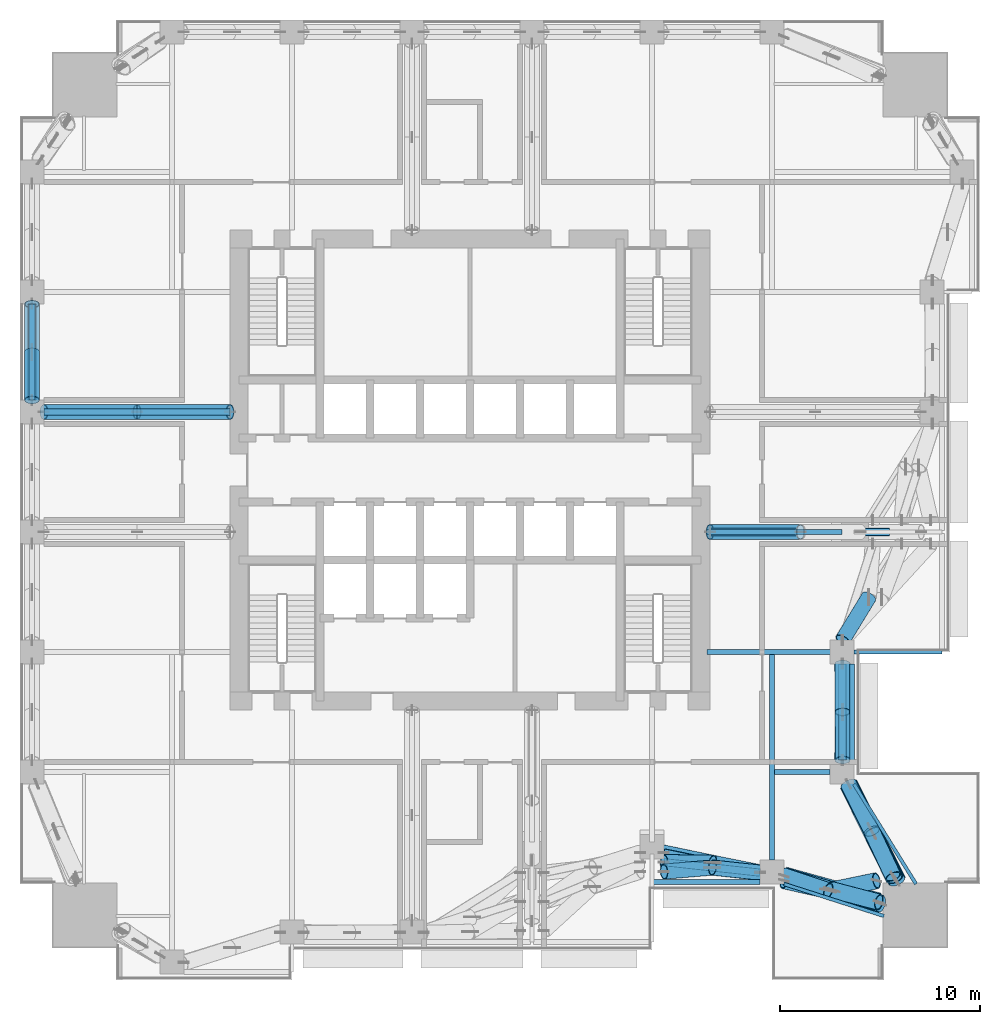
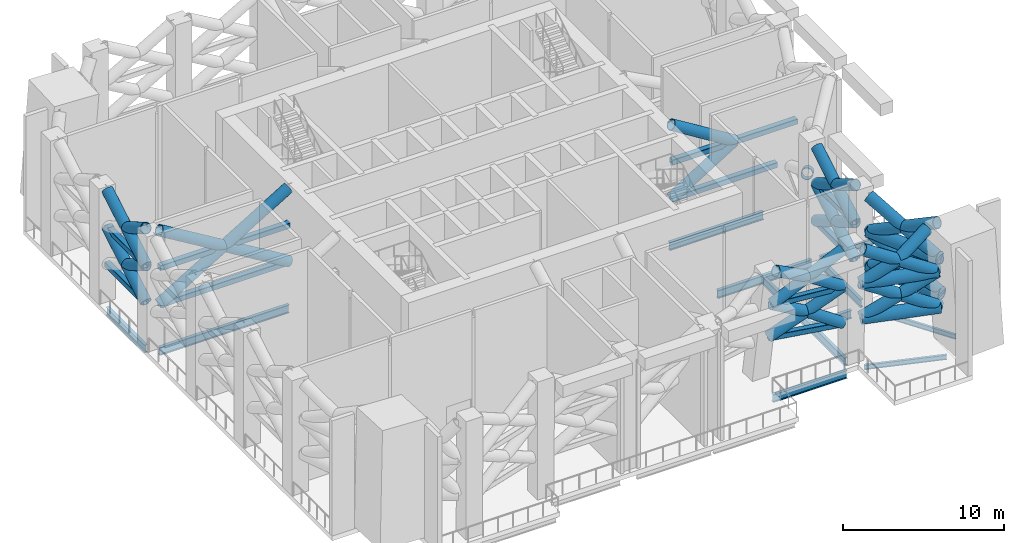
# One storey, part 3 of 18: 35 members, 25 beams.
"""IFC4 building model written with IfcOpenShell, lengths in metres."""

import ifcopenshell
import ifcopenshell.guid

model = None  # the IFC model being written
_history = None  # IfcOwnerHistory: only IFC2X3 demands one
_inside = {}  # id of a spatial element -> (the spatial element, [elements in it])
_under = {}  # id of a project, library or spatial element -> (it, [spatial elements below it])
_declared = {}  # id of a project -> (the project, [libraries it declares])
_typed = {}  # id of a type object -> (the type object, [elements of that type])
_made_of = {}  # id of a material, layer set ... -> (it, [elements and type objects made of it])


def new_model(schema):
    """Start an empty IFC model of exactly this schema.

    Asked for "IFC4X3", IfcOpenShell would pick the latest addendum, in which some entities
    have other attributes; the version numbers below select the first issue.
    IFC2X3 requires an IfcOwnerHistory on every rooted entity: one is made here for all.
    """
    global model, _history
    if schema == "IFC4X3":
        model = ifcopenshell.file(schema_version=(4, 3, 0, 0))
    else:
        model = ifcopenshell.file(schema=schema)
    _inside.clear()
    _under.clear()
    _declared.clear()
    _typed.clear()
    _made_of.clear()
    _history = None
    if model.schema == "IFC2X3":
        org = make("IfcOrganization", Name="unknown")
        user = make(
            "IfcPersonAndOrganization",
            ThePerson=make("IfcPerson", FamilyName="unknown"),
            TheOrganization=org,
        )
        app = make(
            "IfcApplication",
            ApplicationDeveloper=org,
            Version="unknown",
            ApplicationFullName="unknown",
            ApplicationIdentifier="unknown",
        )
        _history = make(
            "IfcOwnerHistory",
            OwningUser=user,
            OwningApplication=app,
            ChangeAction="ADDED",
            CreationDate=0,
        )
    return model


def make(cls, **values):
    """One entity of the class cls with the attributes given. An attribute that is None is left unset."""
    return model.create_entity(
        cls, **{name: value for name, value in values.items() if value is not None}
    )


def rooted(cls, **values):
    """An entity with a GlobalId (a new one), such as an element, a storey or a relation."""
    return make(cls, GlobalId=ifcopenshell.guid.new(), OwnerHistory=_history, **values)


def si_unit(unit_type, name, prefix=None):
    """IfcSIUnit, for example si_unit("LENGTHUNIT", "METRE", prefix="MILLI")."""
    return make("IfcSIUnit", UnitType=unit_type, Prefix=prefix, Name=name)


def assignment(units):
    """IfcUnitAssignment: the units of a project."""
    return None if units is None else make("IfcUnitAssignment", Units=units)


def point(xyz):
    """IfcCartesianPoint."""
    return None if xyz is None else make("IfcCartesianPoint", Coordinates=xyz)


def direction(xyz):
    """IfcDirection."""
    return None if xyz is None else make("IfcDirection", DirectionRatios=xyz)


def frame(location, z_axis=None, x_axis=None):
    """IfcAxis2Placement3D, a coordinate frame: its origin and axes. An axis left out is left unset."""
    return make(
        "IfcAxis2Placement3D",
        Location=point(location),
        Axis=direction(z_axis),
        RefDirection=direction(x_axis),
    )


def frame_2d(location, x_axis=None):
    """IfcAxis2Placement2D, a coordinate frame in the plane: its origin and x axis."""
    return make(
        "IfcAxis2Placement2D", Location=point(location), RefDirection=direction(x_axis)
    )


def origin():
    """The frame at (0, 0, 0) with its axes left unset."""
    return frame((0.0, 0.0, 0.0))


def origin_2d():
    """The frame at (0, 0) in the plane with its x axis left unset."""
    return frame_2d((0.0, 0.0))


def place(relative_to, where):
    """IfcLocalPlacement: puts the frame where relative to a parent placement (None: the world)."""
    return make(
        "IfcLocalPlacement", PlacementRelTo=relative_to, RelativePlacement=where
    )


def context(
    kind, dimensions, precision=None, world=None, true_north=None, identifier=None
):
    """IfcGeometricRepresentationContext, for example the 3D "Model" context."""
    return make(
        "IfcGeometricRepresentationContext",
        ContextIdentifier=identifier,
        ContextType=kind,
        CoordinateSpaceDimension=dimensions,
        Precision=precision,
        WorldCoordinateSystem=world,
        TrueNorth=true_north,
    )


def subcontext(parent, identifier, kind, view, scale=None):
    """IfcGeometricRepresentationSubContext, for example "Body" below "Model"."""
    return make(
        "IfcGeometricRepresentationSubContext",
        ContextIdentifier=identifier,
        ContextType=kind,
        ParentContext=parent,
        TargetScale=scale,
        TargetView=view,
    )


def project(units=None, contexts=None):
    """IfcProject with its units and contexts."""
    return rooted(
        "IfcProject",
        Name="project",
        RepresentationContexts=contexts,
        UnitsInContext=assignment(units),
    )


def spatial(cls, under=None, at=None, **own):
    """A site, building, storey or space (cls), placed at a placement, below another one or the project."""
    s = rooted(cls, ObjectPlacement=at, **own)
    if under is not None:
        _under.setdefault(under.id(), (under, []))[1].append(s)
    return s


def profile(cls, at=None, kind="AREA", **sizes):
    """A parametric profile (cls). Its sizes go by their IFC names, for example OverallWidth=200.0."""
    return make(cls, ProfileType=kind, Position=at, **sizes)


def hollow_rectangle(**sizes):
    """IfcRectangleHollowProfileDef."""
    return profile("IfcRectangleHollowProfileDef", **sizes)


def hollow_circle(**sizes):
    """IfcCircleHollowProfileDef."""
    return profile("IfcCircleHollowProfileDef", **sizes)


def i_section(**sizes):
    """IfcIShapeProfileDef."""
    return profile("IfcIShapeProfileDef", **sizes)


def extrude(swept, where, along, depth):
    """IfcExtrudedAreaSolid: the profile swept, set in the frame where, extruded along a direction by depth."""
    return make(
        "IfcExtrudedAreaSolid",
        SweptArea=swept,
        Position=where,
        ExtrudedDirection=direction(along),
        Depth=depth,
    )


def shape(context_of_items, identifier, shape_type, items):
    """IfcShapeRepresentation: the items that make up one representation, for example the "Body"."""
    return make(
        "IfcShapeRepresentation",
        ContextOfItems=context_of_items,
        RepresentationIdentifier=identifier,
        RepresentationType=shape_type,
        Items=items,
    )


def material(Name=None, Category=None):
    """IfcMaterial."""
    return make("IfcMaterial", Name=Name, Category=Category)


def material_profile(
    of_material, cross_section, Name=None, Category=None, Priority=None
):
    """IfcMaterialProfile: a cross section and its material."""
    return make(
        "IfcMaterialProfile",
        Name=Name,
        Material=of_material,
        Profile=cross_section,
        Priority=Priority,
        Category=Category,
    )


def profile_set(profiles, Name=None, composite=None):
    """IfcMaterialProfileSet."""
    return make(
        "IfcMaterialProfileSet",
        Name=Name,
        MaterialProfiles=profiles,
        CompositeProfile=composite,
    )


def made_of(thing, what):
    """Note that an element or type object is made of a material, layer set ...; save() writes the relation."""
    if what is not None:
        _made_of.setdefault(what.id(), (what, []))[1].append(thing)
    return thing


def type_object(cls, material=None, **own):
    """A type object (cls), such as IfcWallType, which elements share."""
    return made_of(rooted(cls, **own), material)


def element(
    cls,
    number,
    at=None,
    inside=None,
    cuts=None,
    type_object=None,
    material=None,
    context=None,
    identifier="Body",
    shape_type=None,
    held_by="IfcProductDefinitionShape",
    body=None,
    shapes=None,
    **own,
):
    """One element of the class cls, such as IfcWall. Its Tag is "e" and its number.

    at: its placement. inside: the storey or other place that contains it. cuts: it is an
    opening in that element (IfcRelVoidsElement). A single representation is given by context,
    identifier, shape_type and body (its items); several are given by shapes. held_by: the class
    of the entity that holds the representations. save() writes the other relations.
    """
    e = rooted(cls, Tag="e%d" % number, ObjectPlacement=at, **own)
    if body is not None:
        shapes = [shape(context, identifier, shape_type, body)]
    if shapes is not None:
        e.Representation = make(held_by, Representations=shapes)
    if inside is not None:
        _inside.setdefault(inside.id(), (inside, []))[1].append(e)
    if cuts is not None:
        rooted(
            "IfcRelVoidsElement", RelatingBuildingElement=cuts, RelatedOpeningElement=e
        )
    if type_object is not None:
        _typed.setdefault(type_object.id(), (type_object, []))[1].append(e)
    return made_of(e, material)


def aggregate(whole, parts):
    """IfcRelAggregates: a whole, such as a stair, and the parts it consists of."""
    return rooted("IfcRelAggregates", RelatingObject=whole, RelatedObjects=parts)


def save(model, path):
    """Write the relations noted so far, then the file.

    IfcRelAggregates (storeys below a building ...), IfcRelContainedInSpatialStructure (elements
    in a storey), IfcRelDefinesByType, IfcRelAssociatesMaterial and IfcRelDeclares: one each for
    every whole, place, type object, material and project.
    """
    for whole, parts in _under.values():
        aggregate(whole, parts)
    for where, things in _inside.values():
        rooted(
            "IfcRelContainedInSpatialStructure",
            RelatedElements=things,
            RelatingStructure=where,
        )
    for kind, things in _typed.values():
        rooted("IfcRelDefinesByType", RelatedObjects=things, RelatingType=kind)
    for what, things in _made_of.values():
        rooted("IfcRelAssociatesMaterial", RelatedObjects=things, RelatingMaterial=what)
    for by, libraries in _declared.values():
        rooted("IfcRelDeclares", RelatingContext=by, RelatedDefinitions=libraries)
    model.write(path)


model = new_model("IFC4")

# Units and contexts
model_context = context("Model", 3, precision=1e-05, world=origin(), true_north=direction((0.0, 1.0)))
body_context = subcontext(model_context, "Body", "Model", "MODEL_VIEW")
ifc_project = project(units=[si_unit("LENGTHUNIT", "METRE"), si_unit("AREAUNIT", "SQUARE_METRE"), si_unit("VOLUMEUNIT", "CUBIC_METRE"), si_unit("PLANEANGLEUNIT", "RADIAN"), si_unit("MASSUNIT", "GRAM", prefix="KILO")], contexts=[model_context])

# Site, building, storey
site_placement = place(None, origin())
site = spatial("IfcSite", under=ifc_project, at=site_placement, CompositionType="ELEMENT")
building_placement = place(site_placement, origin())
building = spatial("IfcBuilding", under=site, at=building_placement, Name="Amberfall Residences", CompositionType="ELEMENT")
storey_placement = place(building_placement, frame((0.0, 0.0, 69.699951171875)))
storey = spatial("IfcBuildingStorey", under=building, at=storey_placement, Name="L19", CompositionType="ELEMENT", Elevation=69.699951171875)

# Beams
ifc_material = material(Name="Steel S355", Category="steel")
ifc_material_profile_1 = material_profile(ifc_material, hollow_circle(Radius=0.457275390625, WallThickness=0.06005859375, at=origin_2d()), Name="CHS 914.4x60")
ifc_profile_set_1 = profile_set([ifc_material_profile_1], Name="Steel S355")
beam_type_1 = type_object("IfcBeamType", Name="Belt truss chord BT CHS 914.4x60", PredefinedType="BEAM", material=ifc_profile_set_1)
beam_1_placement = place(storey_placement, frame((95.864013671875, 24.93359375, 3.0), z_axis=(-0.448916281366, 0.893573820299, 0.0), x_axis=(-0.893573820299, -0.448916281366, 0.0)))
element("IfcBeam", 1, at=beam_1_placement, inside=storey, type_object=beam_type_1, Name="Belt truss chord BT2 L19 SEE", PredefinedType="BEAM", context=body_context, shape_type="SweptSolid", body=[
    extrude(hollow_circle(Radius=0.457275390625, WallThickness=0.06005859375, at=origin_2d()), origin(), (0.0, 0.0, 1.0), 5.446044921875),
])
beam_2_placement = place(storey_placement, frame((95.759521484375, 25.05517578125, 5.646484375), z_axis=(-0.441163604367, 0.897426695715, 0.0), x_axis=(-0.897426695715, -0.441163604367, 0.0)))
element("IfcBeam", 2, at=beam_2_placement, inside=storey, type_object=beam_type_1, Name="Belt truss chord BT2 L19 SEEm", PredefinedType="BEAM", context=body_context, shape_type="SweptSolid", body=[
    extrude(hollow_circle(Radius=0.457275390625, WallThickness=0.06005859375, at=origin_2d()), origin(), (0.0, 0.0, 1.0), 5.287109375),
])
beam_3_placement = place(storey_placement, frame((95.066650390625, 23.7958984375, 3.0), z_axis=(-0.960388660722, 0.278663991854, 0.0), x_axis=(-0.278663991854, -0.960388660722, 0.0)))
element("IfcBeam", 3, at=beam_3_placement, inside=storey, type_object=beam_type_1, Name="Belt truss chord BT2 L19 SES", PredefinedType="BEAM", context=body_context, shape_type="SweptSolid", body=[
    extrude(hollow_circle(Radius=0.457275390625, WallThickness=0.06005859375, at=origin_2d()), origin(), (0.0, 0.0, 1.0), 5.0673828125),
])
beam_4_placement = place(storey_placement, frame((94.9453125, 23.894287109375, 5.646484375), z_axis=(-0.964042583134, 0.265747808841, 0.0), x_axis=(-0.265747808841, -0.964042583134, 0.0)))
element("IfcBeam", 4, at=beam_4_placement, inside=storey, type_object=beam_type_1, Name="Belt truss chord BT2 L19 SESm", PredefinedType="BEAM", context=body_context, shape_type="SweptSolid", body=[
    extrude(hollow_circle(Radius=0.457275390625, WallThickness=0.06005859375, at=origin_2d()), origin(), (0.0, 0.0, 1.0), 4.92236328125),
])
ifc_material_profile_2 = material_profile(ifc_material, hollow_rectangle(XDim=0.39990234375, YDim=0.39990234375, WallThickness=0.02001953125, InnerFilletRadius=0.02001953125, OuterFilletRadius=0.030029296875, at=origin_2d()), Name="RHS 400x400x20")
ifc_profile_set_2 = profile_set([ifc_material_profile_2], Name="Steel S355")
beam_type_2 = type_object("IfcBeamType", Name="Belt truss chord BT RHS 400x400x20", PredefinedType="BEAM", material=ifc_profile_set_2)
beam_5_placement = place(storey_placement, frame((84.199951171875, 26.366455078125, 2.900146484375), z_axis=(0.97963236561, -0.200799472733, 0.0), x_axis=(0.200799472733, 0.97963236561, 0.0)))
element("IfcBeam", 5, at=beam_5_placement, inside=storey, type_object=beam_type_2, Name="Belt truss chord BT3 L19 S5", PredefinedType="BEAM", context=body_context, shape_type="SweptSolid", body=[
    extrude(hollow_rectangle(XDim=0.39990234375, YDim=0.39990234375, WallThickness=0.02001953125, InnerFilletRadius=0.02001953125, OuterFilletRadius=0.030029296875, at=origin_2d()), origin(), (0.0, 0.0, 1.0), 4.89990234375),
])
beam_6_placement = place(storey_placement, frame((84.199951171875, 25.89208984375, 5.699951171875), z_axis=(0.994084919363, -0.108605585005, 0.0), x_axis=(0.108605585005, 0.994084919363, 0.0)))
element("IfcBeam", 6, at=beam_6_placement, inside=storey, type_object=beam_type_2, Name="Belt truss chord BT3 L19 S5m", PredefinedType="BEAM", context=body_context, shape_type="SweptSolid", body=[
    extrude(hollow_rectangle(XDim=0.39990234375, YDim=0.39990234375, WallThickness=0.02001953125, InnerFilletRadius=0.02001953125, OuterFilletRadius=0.030029296875, at=origin_2d()), origin(), (0.0, 0.0, 1.0), 4.82861328125),
])
for number, where, z_axis, x_axis, name in (
    (7, (93.117431640625, 31.0, 2.900146484375), (0.0, 1.0, 0.0), (-1.0, 0.0, 0.0), "Belt truss chord BT3 L19 E1"),
    (8, (93.13232421875, 31.0, 5.699951171875), (0.0, 1.0, 0.0), (-1.0, 0.0, 0.0), "Belt truss chord BT3 L19 E1m"),
    (9, (52.60009765625, 49.0, 2.900146484375), (0.0, 1.0, 0.0), (-1.0, 0.0, 0.0), "Belt truss chord BT3 L19 W4"),
    (10, (52.60009765625, 49.0, 5.699951171875), (0.0, 1.0, 0.0), (-1.0, 0.0, 0.0), "Belt truss chord BT3 L19 W4m"),
):
    element("IfcBeam", number, at=place(storey_placement, frame(where, z_axis=z_axis, x_axis=x_axis)), inside=storey, type_object=beam_type_2, Name=name, PredefinedType="BEAM", context=body_context, shape_type="SweptSolid", body=[
        extrude(hollow_rectangle(XDim=0.39990234375, YDim=0.39990234375, WallThickness=0.02001953125, InnerFilletRadius=0.02001953125, OuterFilletRadius=0.030029296875, at=origin_2d()), origin(), (0.0, 0.0, 1.0), 4.800048828125),
    ])

# Members
ifc_material_profile_3 = material_profile(ifc_material, hollow_circle(Radius=0.381103515625, WallThickness=0.0400390625, at=origin_2d()), Name="CHS 762x40")
ifc_profile_set_3 = profile_set([ifc_material_profile_3], Name="Steel S355")
member_type_1 = type_object("IfcMemberType", Name="Belt truss diagonal BT CHS 762x40", PredefinedType="BRACE", material=ifc_profile_set_3)
member_1_placement = place(storey_placement, frame((84.199951171875, 26.366455078125, 2.900146484375), z_axis=(0.850173132179, -0.176901392795, 0.495894688969), x_axis=(0.203713638454, 0.979030517148, 0.0)))
element("IfcMember", 11, at=member_1_placement, inside=storey, type_object=member_type_1, Name="Belt truss diagonal BT4 L19 S5d", PredefinedType="BRACE", context=body_context, shape_type="SweptSolid", body=[
    extrude(hollow_circle(Radius=0.381103515625, WallThickness=0.0400390625, at=origin_2d()), origin(), (0.0, 0.0, 1.0), 5.64599609375),
])
member_2_placement = place(storey_placement, frame((84.199951171875, 25.89208984375, 5.699951171875), z_axis=(0.869877147721, -0.011516929137, -0.49313396579), x_axis=(0.013238558914, 0.999912366439, 0.0)))
element("IfcMember", 12, at=member_2_placement, inside=storey, type_object=member_type_1, Name="Belt truss diagonal BT4 L19 S5e", PredefinedType="BRACE", context=body_context, shape_type="SweptSolid", body=[
    extrude(hollow_circle(Radius=0.381103515625, WallThickness=0.0400390625, at=origin_2d()), origin(), (0.0, 0.0, 1.0), 2.798095703125),
])
member_3_placement = place(storey_placement, frame((86.634033203125, 25.85986328125, 4.320068359375), z_axis=(0.844891832931, -0.170443043378, -0.507057156158), x_axis=(0.197749837519, 0.980252519385, 0.0)))
element("IfcMember", 13, at=member_3_placement, inside=storey, type_object=member_type_1, Name="Belt truss diagonal BT4 L19 S5e2", PredefinedType="BRACE", context=body_context, shape_type="SweptSolid", body=[
    extrude(hollow_circle(Radius=0.381103515625, WallThickness=0.0400390625, at=origin_2d()), origin(), (0.0, 0.0, 1.0), 2.80029296875),
])
member_4_placement = place(storey_placement, frame((84.199951171875, 25.89208984375, 5.699951171875), z_axis=(0.859734423176, -0.096638679376, 0.501515390845), x_axis=(0.111701811281, 0.993741769957, 0.0)))
element("IfcMember", 14, at=member_4_placement, inside=storey, type_object=member_type_1, Name="Belt truss diagonal BT4 L19 S5du", PredefinedType="BRACE", context=body_context, shape_type="SweptSolid", body=[
    extrude(hollow_circle(Radius=0.381103515625, WallThickness=0.0400390625, at=origin_2d()), origin(), (0.0, 0.0, 1.0), 5.583251953125),
])
member_5_placement = place(storey_placement, frame((84.199951171875, 25.417724609375, 8.5), z_axis=(0.86585883855, 0.072118567779, -0.495063010016), x_axis=(-0.083003948389, 0.996549218329, 0.0)))
element("IfcMember", 15, at=member_5_placement, inside=storey, type_object=member_type_1, Name="Belt truss diagonal BT4 L19 S5eu", PredefinedType="BRACE", context=body_context, shape_type="SweptSolid", body=[
    extrude(hollow_circle(Radius=0.381103515625, WallThickness=0.0400390625, at=origin_2d()), origin(), (0.0, 0.0, 1.0), 2.799560546875),
])
member_6_placement = place(storey_placement, frame((86.6240234375, 25.61962890625, 7.114013671875), z_axis=(0.855780423969, -0.090748602295, -0.509317736912), x_axis=(0.10545069031, 0.994424533041, 0.0)))
element("IfcMember", 16, at=member_6_placement, inside=storey, type_object=member_type_1, Name="Belt truss diagonal BT4 L19 S5e2u", PredefinedType="BRACE", context=body_context, shape_type="SweptSolid", body=[
    extrude(hollow_circle(Radius=0.381103515625, WallThickness=0.0400390625, at=origin_2d()), origin(), (0.0, 0.0, 1.0), 2.7763671875),
])
member_7_placement = place(storey_placement, frame((93.117431640625, 31.0, 2.900146484375), z_axis=(0.002679995571, 0.863793326591, 0.503839167354), x_axis=(-0.999995187006, 0.003102573949, 0.0)))
element("IfcMember", 17, at=member_7_placement, inside=storey, type_object=member_type_1, Name="Belt truss diagonal BT4 L19 E1d", PredefinedType="BRACE", context=body_context, shape_type="SweptSolid", body=[
    extrude(hollow_circle(Radius=0.381103515625, WallThickness=0.0400390625, at=origin_2d()), origin(), (0.0, 0.0, 1.0), 5.556884765625),
])
member_8_placement = place(storey_placement, frame((93.13232421875, 31.0, 5.699951171875), z_axis=(-0.002724032978, 0.863782070187, -0.503858228937), x_axis=(-0.999995027405, -0.003153595712, 0.0)))
element("IfcMember", 18, at=member_8_placement, inside=storey, type_object=member_type_1, Name="Belt truss diagonal BT4 L19 E1e", PredefinedType="BRACE", context=body_context, shape_type="SweptSolid", body=[
    extrude(hollow_circle(Radius=0.381103515625, WallThickness=0.0400390625, at=origin_2d()), origin(), (0.0, 0.0, 1.0), 2.7783203125),
])
member_9_placement = place(storey_placement, frame((93.124755859375, 33.39990234375, 4.300048828125), z_axis=(-0.002635961489, 0.863804580046, -0.503820105989), x_axis=(-0.999995343988, -0.003051557351, 0.0)))
element("IfcMember", 19, at=member_9_placement, inside=storey, type_object=member_type_1, Name="Belt truss diagonal BT4 L19 E1e2", PredefinedType="BRACE", context=body_context, shape_type="SweptSolid", body=[
    extrude(hollow_circle(Radius=0.381103515625, WallThickness=0.0400390625, at=origin_2d()), origin(), (0.0, 0.0, 1.0), 2.778564453125),
])
member_10_placement = place(storey_placement, frame((93.13232421875, 31.0, 5.699951171875), z_axis=(0.002723869304, 0.863774103061, 0.5038718879), x_axis=(-0.99999502791, 0.003153435315, 0.0)))
element("IfcMember", 20, at=member_10_placement, inside=storey, type_object=member_type_1, Name="Belt truss diagonal BT4 L19 E1du", PredefinedType="BRACE", context=body_context, shape_type="SweptSolid", body=[
    extrude(hollow_circle(Radius=0.381103515625, WallThickness=0.0400390625, at=origin_2d()), origin(), (0.0, 0.0, 1.0), 5.55712890625),
])
member_11_placement = place(storey_placement, frame((93.1474609375, 31.0, 8.5), z_axis=(-0.002724032978, 0.863782070187, -0.503858228937), x_axis=(-0.999995027405, -0.003153595712, 0.0)))
element("IfcMember", 21, at=member_11_placement, inside=storey, type_object=member_type_1, Name="Belt truss diagonal BT4 L19 E1eu", PredefinedType="BRACE", context=body_context, shape_type="SweptSolid", body=[
    extrude(hollow_circle(Radius=0.381103515625, WallThickness=0.0400390625, at=origin_2d()), origin(), (0.0, 0.0, 1.0), 2.7783203125),
])
member_12_placement = place(storey_placement, frame((93.139892578125, 33.39990234375, 7.10009765625), z_axis=(-0.002723705649, 0.863766136677, -0.503885545097), x_axis=(-0.999995028416, -0.003153274934, 0.0)))
element("IfcMember", 22, at=member_12_placement, inside=storey, type_object=member_type_1, Name="Belt truss diagonal BT4 L19 E1e2u", PredefinedType="BRACE", context=body_context, shape_type="SweptSolid", body=[
    extrude(hollow_circle(Radius=0.381103515625, WallThickness=0.0400390625, at=origin_2d()), origin(), (0.0, 0.0, 1.0), 2.77880859375),
])
member_13_placement = place(storey_placement, frame((93.13232421875, 37.0, 5.699951171875), z_axis=(0.444195015354, 0.726436180888, -0.524386559164), x_axis=(-0.853145003136, 0.52167384794, 0.0)))
element("IfcMember", 23, at=member_13_placement, inside=storey, type_object=member_type_1, Name="Belt truss diagonal BT4 L19 E2e", PredefinedType="BRACE", context=body_context, shape_type="SweptSolid", body=[
    extrude(hollow_circle(Radius=0.381103515625, WallThickness=0.0400390625, at=origin_2d()), origin(), (0.0, 0.0, 1.0), 2.953125),
])
member_14_placement = place(storey_placement, frame((52.60009765625, 49.0, 2.900146484375), z_axis=(0.0, 0.863796428652, 0.503840976745), x_axis=(-1.0, 0.0, 0.0)))
element("IfcMember", 24, at=member_14_placement, inside=storey, type_object=member_type_1, Name="Belt truss diagonal BT4 L19 W4d", PredefinedType="BRACE", context=body_context, shape_type="SweptSolid", body=[
    extrude(hollow_circle(Radius=0.381103515625, WallThickness=0.0400390625, at=origin_2d()), origin(), (0.0, 0.0, 1.0), 5.556884765625),
])
member_15_placement = place(storey_placement, frame((52.60009765625, 49.0, 5.699951171875), z_axis=(0.0, 0.86378527499, -0.503860098351), x_axis=(-1.0, 0.0, 0.0)))
element("IfcMember", 25, at=member_15_placement, inside=storey, type_object=member_type_1, Name="Belt truss diagonal BT4 L19 W4e", PredefinedType="BRACE", context=body_context, shape_type="SweptSolid", body=[
    extrude(hollow_circle(Radius=0.381103515625, WallThickness=0.0400390625, at=origin_2d()), origin(), (0.0, 0.0, 1.0), 2.7783203125),
])
member_16_placement = place(storey_placement, frame((52.60009765625, 49.0, 5.699951171875), z_axis=(0.0, 0.86377730745, 0.503873757141), x_axis=(-1.0, 0.0, 0.0)))
element("IfcMember", 26, at=member_16_placement, inside=storey, type_object=member_type_1, Name="Belt truss diagonal BT4 L19 W4du", PredefinedType="BRACE", context=body_context, shape_type="SweptSolid", body=[
    extrude(hollow_circle(Radius=0.381103515625, WallThickness=0.0400390625, at=origin_2d()), origin(), (0.0, 0.0, 1.0), 5.55712890625),
])
member_17_placement = place(storey_placement, frame((52.60009765625, 49.0, 8.5), z_axis=(0.0, 0.86378527499, -0.503860098351), x_axis=(-1.0, 0.0, 0.0)))
element("IfcMember", 27, at=member_17_placement, inside=storey, type_object=member_type_1, Name="Belt truss diagonal BT4 L19 W4eu", PredefinedType="BRACE", context=body_context, shape_type="SweptSolid", body=[
    extrude(hollow_circle(Radius=0.381103515625, WallThickness=0.0400390625, at=origin_2d()), origin(), (0.0, 0.0, 1.0), 2.7783203125),
])
ifc_material_profile_4 = material_profile(ifc_material, hollow_circle(Radius=0.406494140625, WallThickness=0.050048828125, at=origin_2d()), Name="CHS 813x50")
ifc_profile_set_4 = profile_set([ifc_material_profile_4], Name="Steel S355")
member_type_2 = type_object("IfcMemberType", Name="Belt truss diagonal BT CHS 813x50", PredefinedType="BRACE", material=ifc_profile_set_4)
member_18_placement = place(storey_placement, frame((95.864013671875, 24.93359375, 3.0), z_axis=(-0.402686506672, 0.804122434131, 0.437299311994), x_axis=(-0.894148900187, -0.447769744728, 0.0)))
element("IfcMember", 28, at=member_18_placement, inside=storey, type_object=member_type_2, Name="Belt truss diagonal BT5 L19 SEEd", PredefinedType="BRACE", context=body_context, shape_type="SweptSolid", body=[
    extrude(hollow_circle(Radius=0.406494140625, WallThickness=0.050048828125, at=origin_2d()), origin(), (0.0, 0.0, 1.0), 6.052001953125),
])
member_19_placement = place(storey_placement, frame((95.759521484375, 25.05517578125, 5.646484375), z_axis=(-0.3884657992, 0.805582731316, -0.447359794637), x_axis=(-0.900742505108, -0.434353472981, 0.0)))
element("IfcMember", 29, at=member_19_placement, inside=storey, type_object=member_type_2, Name="Belt truss diagonal BT5 L19 SEEe", PredefinedType="BRACE", context=body_context, shape_type="SweptSolid", body=[
    extrude(hollow_circle(Radius=0.406494140625, WallThickness=0.050048828125, at=origin_2d()), origin(), (0.0, 0.0, 1.0), 2.914306640625),
])
member_20_placement = place(storey_placement, frame((94.62744140625, 27.40283203125, 4.3427734375), z_axis=(-0.40253687892, 0.798648133787, -0.447353573259), x_axis=(-0.892985648375, -0.450085138386, 0.0)))
element("IfcMember", 30, at=member_20_placement, inside=storey, type_object=member_type_2, Name="Belt truss diagonal BT5 L19 SEEe2", PredefinedType="BRACE", context=body_context, shape_type="SweptSolid", body=[
    extrude(hollow_circle(Radius=0.406494140625, WallThickness=0.050048828125, at=origin_2d()), origin(), (0.0, 0.0, 1.0), 3.001708984375),
])
member_21_placement = place(storey_placement, frame((95.759521484375, 25.05517578125, 5.646484375), z_axis=(-0.393455843891, 0.802899446243, 0.447822485067), x_axis=(-0.897974782942, -0.440046917044, 0.0)))
element("IfcMember", 31, at=member_21_placement, inside=storey, type_object=member_type_2, Name="Belt truss diagonal BT5 L19 SEEdu", PredefinedType="BRACE", context=body_context, shape_type="SweptSolid", body=[
    extrude(hollow_circle(Radius=0.406494140625, WallThickness=0.050048828125, at=origin_2d()), origin(), (0.0, 0.0, 1.0), 5.90966796875),
])
member_22_placement = place(storey_placement, frame((95.657470703125, 25.1748046875, 8.29296875), z_axis=(-0.37879169363, 0.804170904733, -0.458067690213), x_axis=(-0.904663338244, -0.426127028523, 0.0)))
element("IfcMember", 32, at=member_22_placement, inside=storey, type_object=member_type_2, Name="Belt truss diagonal BT5 L19 SEEeu", PredefinedType="BRACE", context=body_context, shape_type="SweptSolid", body=[
    extrude(hollow_circle(Radius=0.406494140625, WallThickness=0.050048828125, at=origin_2d()), origin(), (0.0, 0.0, 1.0), 2.845458984375),
])
member_23_placement = place(storey_placement, frame((94.57958984375, 27.463134765625, 6.989501953125), z_axis=(-0.393181884311, 0.797190636861, -0.45814309375), x_axis=(-0.896849995006, -0.442334812623, 0.0)))
element("IfcMember", 33, at=member_23_placement, inside=storey, type_object=member_type_2, Name="Belt truss diagonal BT5 L19 SEEe2u", PredefinedType="BRACE", context=body_context, shape_type="SweptSolid", body=[
    extrude(hollow_circle(Radius=0.406494140625, WallThickness=0.050048828125, at=origin_2d()), origin(), (0.0, 0.0, 1.0), 2.931396484375),
])
member_24_placement = place(storey_placement, frame((95.066650390625, 23.7958984375, 3.0), z_axis=(-0.851492381224, 0.246084459127, 0.463036892368), x_axis=(-0.277641463402, -0.96068476505, 0.0)))
element("IfcMember", 34, at=member_24_placement, inside=storey, type_object=member_type_2, Name="Belt truss diagonal BT5 L19 SESd", PredefinedType="BRACE", context=body_context, shape_type="SweptSolid", body=[
    extrude(hollow_circle(Radius=0.406494140625, WallThickness=0.050048828125, at=origin_2d()), origin(), (0.0, 0.0, 1.0), 5.715576171875),
])
member_25_placement = place(storey_placement, frame((94.9453125, 23.894287109375, 5.646484375), z_axis=(-0.852164015818, 0.223320852731, -0.473227521263), x_axis=(-0.253502838934, -0.967334642537, 0.0)))
element("IfcMember", 35, at=member_25_placement, inside=storey, type_object=member_type_2, Name="Belt truss diagonal BT5 L19 SESe", PredefinedType="BRACE", context=body_context, shape_type="SweptSolid", body=[
    extrude(hollow_circle(Radius=0.406494140625, WallThickness=0.050048828125, at=origin_2d()), origin(), (0.0, 0.0, 1.0), 2.7548828125),
])
member_26_placement = place(storey_placement, frame((92.59765625, 24.509521484375, 4.3427734375), z_axis=(-0.845609942027, 0.2463384629, -0.473562232069), x_axis=(-0.279688407869, -0.960090826174, 0.0)))
element("IfcMember", 36, at=member_26_placement, inside=storey, type_object=member_type_2, Name="Belt truss diagonal BT5 L19 SESe2", PredefinedType="BRACE", context=body_context, shape_type="SweptSolid", body=[
    extrude(hollow_circle(Radius=0.406494140625, WallThickness=0.050048828125, at=origin_2d()), origin(), (0.0, 0.0, 1.0), 2.83544921875),
])
member_27_placement = place(storey_placement, frame((94.9453125, 23.894287109375, 5.646484375), z_axis=(-0.856886989409, 0.193314269103, 0.477885217121), x_axis=(-0.22006985859, -0.975484114345, 0.0)))
element("IfcMember", 37, at=member_27_placement, inside=storey, type_object=member_type_2, Name="Belt truss diagonal BT5 L19 SESdu", PredefinedType="BRACE", context=body_context, shape_type="SweptSolid", body=[
    extrude(hollow_circle(Radius=0.406494140625, WallThickness=0.050048828125, at=origin_2d()), origin(), (0.0, 0.0, 1.0), 5.537841796875),
])
member_28_placement = place(storey_placement, frame((94.82470703125, 24.96484375, 8.29296875), z_axis=(-0.875282633526, -0.181349698045, -0.448321980798), x_axis=(0.202881027452, -0.979203394959, 0.0)))
element("IfcMember", 38, at=member_28_placement, inside=storey, type_object=member_type_2, Name="Belt truss diagonal BT5 L19 SESeu", PredefinedType="BRACE", context=body_context, shape_type="SweptSolid", body=[
    extrude(hollow_circle(Radius=0.406494140625, WallThickness=0.050048828125, at=origin_2d()), origin(), (0.0, 0.0, 1.0), 2.75439453125),
])
member_29_placement = place(storey_placement, frame((92.413818359375, 24.46533203125, 7.05810546875), z_axis=(-0.811799120894, 0.270271454122, -0.517624891598), x_axis=(-0.315882461163, -0.948798329852, 0.0)))
element("IfcMember", 39, at=member_29_placement, inside=storey, type_object=member_type_2, Name="Belt truss diagonal BT5 L19 SESe2u", PredefinedType="BRACE", context=body_context, shape_type="SweptSolid", body=[
    extrude(hollow_circle(Radius=0.406494140625, WallThickness=0.050048828125, at=origin_2d()), origin(), (0.0, 0.0, 1.0), 2.72705078125),
])

# Beams
ifc_material_profile_5 = material_profile(ifc_material, i_section(OverallWidth=0.177734375, OverallDepth=0.402587890625, WebThickness=0.0078125, FlangeThickness=0.010986328125, FilletRadius=0.01025390625, at=origin_2d()), Name="UB 406x178x54")
ifc_profile_set_5 = profile_set([ifc_material_profile_5], Name="Steel S355")
beam_type_3 = type_object("IfcBeamType", Name="Cantilever girder UB 406x178x54", PredefinedType="BEAM", material=ifc_profile_set_5)
beam_7_placement = place(storey_placement, frame((93.699951171875, 36.39990234375, -0.55126953125), z_axis=(1.0, 0.0, 0.0), x_axis=(0.0, 1.0, 0.0)))
element("IfcBeam", 40, at=beam_7_placement, inside=storey, type_object=beam_type_3, Name="Cantilever girder B9 L19 20", PredefinedType="BEAM", context=body_context, shape_type="SweptSolid", body=[
    extrude(i_section(OverallWidth=0.177734375, OverallDepth=0.402587890625, WebThickness=0.0078125, FlangeThickness=0.010986328125, FilletRadius=0.01025390625, at=origin_2d()), origin(), (0.0, 0.0, 1.0), 4.400146484375),
])
ifc_material_profile_6 = material_profile(ifc_material, i_section(OverallWidth=0.228271484375, OverallDepth=0.607666015625, WebThickness=0.010986328125, FlangeThickness=0.017333984375, FilletRadius=0.0126953125, at=origin_2d()), Name="UB 610x229x113")
ifc_profile_set_6 = profile_set([ifc_material_profile_6], Name="Steel S355")
beam_type_4 = type_object("IfcBeamType", Name="Edge beam UB 610x229x113", PredefinedType="SPANDREL", material=ifc_profile_set_6)
beam_8_placement = place(storey_placement, frame((83.679931640625, 24.89990234375, -0.65380859375), z_axis=(1.0, 0.0, 0.0), x_axis=(0.0, 1.0, 0.0)))
element("IfcBeam", 41, at=beam_8_placement, inside=storey, type_object=beam_type_4, Name="Edge beam B12 L19 05", PredefinedType="SPANDREL", context=body_context, shape_type="SweptSolid", body=[
    extrude(i_section(OverallWidth=0.228271484375, OverallDepth=0.607666015625, WebThickness=0.010986328125, FlangeThickness=0.017333984375, FilletRadius=0.0126953125, at=origin_2d()), origin(), (0.0, 0.0, 1.0), 5.320068359375),
])
for number, where, z_axis, x_axis, name in (
    (42, (93.60009765625, 31.0, -0.65380859375), (0.0, 1.0, 0.0), (-1.0, 0.0, 0.0), "Edge beam B12 L19 15"),
    (43, (52.60009765625, 49.0, -0.65380859375), (0.0, 1.0, 0.0), (-1.0, 0.0, 0.0), "Edge beam B12 L19 43"),
):
    element("IfcBeam", number, at=place(storey_placement, frame(where, z_axis=z_axis, x_axis=x_axis)), inside=storey, type_object=beam_type_4, Name=name, PredefinedType="SPANDREL", context=body_context, shape_type="SweptSolid", body=[
        extrude(i_section(OverallWidth=0.228271484375, OverallDepth=0.607666015625, WebThickness=0.010986328125, FlangeThickness=0.017333984375, FilletRadius=0.0126953125, at=origin_2d()), origin(), (0.0, 0.0, 1.0), 4.800048828125),
    ])
ifc_material_profile_7 = material_profile(ifc_material, i_section(OverallWidth=0.230224609375, OverallDepth=0.6171875, WebThickness=0.01318359375, FlangeThickness=0.022216796875, FilletRadius=0.0126953125, at=origin_2d()), Name="UB 610x229x140")
ifc_profile_set_7 = profile_set([ifc_material_profile_7], Name="Steel S355")
beam_type_5 = type_object("IfcBeamType", Name="Floor girder UB 610x229x140", PredefinedType="BEAM", material=ifc_profile_set_7)
beam_9_placement = place(storey_placement, frame((89.60009765625, 26.0, -0.658447265625), z_axis=(0.0, 1.0, 0.0), x_axis=(-1.0, 0.0, 0.0)))
element("IfcBeam", 44, at=beam_9_placement, inside=storey, type_object=beam_type_5, Name="Floor girder B13 L19 14", PredefinedType="BEAM", context=body_context, shape_type="SweptSolid", body=[
    extrude(i_section(OverallWidth=0.230224609375, OverallDepth=0.6171875, WebThickness=0.01318359375, FlangeThickness=0.022216796875, FilletRadius=0.0126953125, at=origin_2d()), origin(), (0.0, 0.0, 1.0), 10.289794921875),
])
beam_10_placement = place(storey_placement, frame((92.5, 30.39990234375, -0.658447265625), z_axis=(-1.0, 0.0, 0.0), x_axis=(0.0, -1.0, 0.0)))
element("IfcBeam", 45, at=beam_10_placement, inside=storey, type_object=beam_type_5, Name="Floor girder B13 L19 23", PredefinedType="BEAM", context=body_context, shape_type="SweptSolid", body=[
    extrude(i_section(OverallWidth=0.230224609375, OverallDepth=0.6171875, WebThickness=0.01318359375, FlangeThickness=0.022216796875, FilletRadius=0.0126953125, at=origin_2d()), origin(), (0.0, 0.0, 1.0), 2.780029296875),
])
for number, where, z_axis, x_axis, name in (
    (46, (93.10009765625, 36.39990234375, -0.658447265625), (-1.0, 0.0, 0.0), (0.0, -1.0, 0.0), "Floor girder B13 L19 24"),
    (47, (93.10009765625, 42.39990234375, -0.658447265625), (-1.0, 0.0, 0.0), (0.0, -1.0, 0.0), "Floor girder B13 L19 25"),
):
    element("IfcBeam", number, at=place(storey_placement, frame(where, z_axis=z_axis, x_axis=x_axis)), inside=storey, type_object=beam_type_5, Name=name, PredefinedType="BEAM", context=body_context, shape_type="SweptSolid", body=[
        extrude(i_section(OverallWidth=0.230224609375, OverallDepth=0.6171875, WebThickness=0.01318359375, FlangeThickness=0.022216796875, FilletRadius=0.0126953125, at=origin_2d()), origin(), (0.0, 0.0, 1.0), 6.75),
    ])
beam_11_placement = place(storey_placement, frame((53.199951171875, 48.39990234375, -0.658447265625), z_axis=(1.0, 0.0, 0.0), x_axis=(0.0, 1.0, 0.0)))
element("IfcBeam", 48, at=beam_11_placement, inside=storey, type_object=beam_type_5, Name="Floor girder B13 L19 48", PredefinedType="BEAM", context=body_context, shape_type="SweptSolid", body=[
    extrude(i_section(OverallWidth=0.230224609375, OverallDepth=0.6171875, WebThickness=0.01318359375, FlangeThickness=0.022216796875, FilletRadius=0.0126953125, at=origin_2d()), origin(), (0.0, 0.0, 1.0), 9.300048828125),
])
ifc_material_profile_8 = material_profile(ifc_material, i_section(OverallWidth=0.171142578125, OverallDepth=0.351318359375, WebThickness=0.007080078125, FlangeThickness=0.009765625, FilletRadius=0.01025390625, at=origin_2d()), Name="UB 356x171x45")
ifc_profile_set_8 = profile_set([ifc_material_profile_8], Name="Steel S355")
beam_type_6 = type_object("IfcBeamType", Name="Link beam UB 356x171x45", PredefinedType="BEAM", material=ifc_profile_set_8)
beam_12_placement = place(storey_placement, frame((95.199951171875, 23.199951171875, -0.525634765625), z_axis=(-0.952418747361, 0.304792601084, 0.0), x_axis=(-0.304792601084, -0.952418747361, 0.0)))
element("IfcBeam", 49, at=beam_12_placement, inside=storey, type_object=beam_type_6, Name="Link beam B7 L19 53", PredefinedType="BEAM", context=body_context, shape_type="SweptSolid", body=[
    extrude(i_section(OverallWidth=0.171142578125, OverallDepth=0.351318359375, WebThickness=0.007080078125, FlangeThickness=0.009765625, FilletRadius=0.01025390625, at=origin_2d()), origin(), (0.0, 0.0, 1.0), 5.249755859375),
])
beam_13_placement = place(storey_placement, frame((96.800048828125, 24.800048828125, -0.525634765625), z_axis=(-0.526951659214, 0.849895257577, 0.0), x_axis=(-0.849895257577, -0.526951659214, 0.0)))
element("IfcBeam", 50, at=beam_13_placement, inside=storey, type_object=beam_type_6, Name="Link beam B7 L19 54", PredefinedType="BEAM", context=body_context, shape_type="SweptSolid", body=[
    extrude(i_section(OverallWidth=0.171142578125, OverallDepth=0.351318359375, WebThickness=0.007080078125, FlangeThickness=0.009765625, FilletRadius=0.01025390625, at=origin_2d()), origin(), (0.0, 0.0, 1.0), 5.883056640625),
])
ifc_material_profile_9 = material_profile(ifc_material, hollow_rectangle(XDim=0.39990234375, YDim=0.39990234375, WallThickness=0.02001953125, InnerFilletRadius=0.02001953125, OuterFilletRadius=0.030029296875, at=origin_2d()), Name="RHS 400x400x20")
ifc_profile_set_9 = profile_set([ifc_material_profile_9], Name="Steel S355")
beam_type_7 = type_object("IfcBeamType", Name="Outrigger truss chord OT RHS 400x400x20", PredefinedType="BEAM", material=ifc_profile_set_9)
for number, where, z_axis, x_axis, name in (
    (51, (53.199951171875, 48.39990234375, 2.900146484375), (1.0, 0.0, 0.0), (0.0, 1.0, 0.0), "Outrigger truss chord OT2 L19 6"),
    (52, (53.199951171875, 48.39990234375, 5.699951171875), (1.0, 0.0, 0.0), (0.0, 1.0, 0.0), "Outrigger truss chord OT2 L19 6m"),
):
    element("IfcBeam", number, at=place(storey_placement, frame(where, z_axis=z_axis, x_axis=x_axis)), inside=storey, type_object=beam_type_7, Name=name, PredefinedType="BEAM", context=body_context, shape_type="SweptSolid", body=[
        extrude(hollow_rectangle(XDim=0.39990234375, YDim=0.39990234375, WallThickness=0.02001953125, InnerFilletRadius=0.02001953125, OuterFilletRadius=0.030029296875, at=origin_2d()), origin(), (0.0, 0.0, 1.0), 9.300048828125),
    ])
beam_14_placement = place(storey_placement, frame((94.0380859375, 42.39990234375, 2.900146484375), z_axis=(-1.0, 0.0, 0.0), x_axis=(0.0, -1.0, 0.0)))
element("IfcBeam", 53, at=beam_14_placement, inside=storey, type_object=beam_type_7, Name="Outrigger truss chord OT2 L19 7", PredefinedType="BEAM", context=body_context, shape_type="SweptSolid", body=[
    extrude(hollow_rectangle(XDim=0.39990234375, YDim=0.39990234375, WallThickness=0.02001953125, InnerFilletRadius=0.02001953125, OuterFilletRadius=0.030029296875, at=origin_2d()), origin(), (0.0, 0.0, 1.0), 7.5380859375),
])
beam_15_placement = place(storey_placement, frame((95.486083984375, 42.39990234375, 5.699951171875), z_axis=(-1.0, 0.0, 0.0), x_axis=(0.0, -1.0, 0.0)))
element("IfcBeam", 54, at=beam_15_placement, inside=storey, type_object=beam_type_7, Name="Outrigger truss chord OT2 L19 7m", PredefinedType="BEAM", context=body_context, shape_type="SweptSolid", body=[
    extrude(hollow_rectangle(XDim=0.39990234375, YDim=0.39990234375, WallThickness=0.02001953125, InnerFilletRadius=0.02001953125, OuterFilletRadius=0.030029296875, at=origin_2d()), origin(), (0.0, 0.0, 1.0), 8.986083984375),
])

# Members
ifc_material_profile_10 = material_profile(ifc_material, hollow_circle(Radius=0.381103515625, WallThickness=0.0400390625, at=origin_2d()), Name="CHS 762x40")
ifc_profile_set_10 = profile_set([ifc_material_profile_10], Name="Steel S355")
member_type_3 = type_object("IfcMemberType", Name="Outrigger truss diagonal OT CHS 762x40", PredefinedType="BRACE", material=ifc_profile_set_10)
member_30_placement = place(storey_placement, frame((53.199951171875, 48.39990234375, 2.900146484375), z_axis=(0.856702148985, 0.0, 0.515811426711), x_axis=(0.0, 1.0, 0.0)))
element("IfcMember", 55, at=member_30_placement, inside=storey, type_object=member_type_3, Name="Outrigger truss diagonal OT3 L19 6.1", PredefinedType="BRACE", context=body_context, shape_type="SweptSolid", body=[
    extrude(hollow_circle(Radius=0.381103515625, WallThickness=0.0400390625, at=origin_2d()), origin(), (0.0, 0.0, 1.0), 5.427978515625),
])
member_31_placement = place(storey_placement, frame((57.85009765625, 48.39990234375, 5.699951171875), z_axis=(0.856690181296, 0.0, -0.515831303113), x_axis=(0.0, 1.0, 0.0)))
element("IfcMember", 56, at=member_31_placement, inside=storey, type_object=member_type_3, Name="Outrigger truss diagonal OT3 L19 6.2", PredefinedType="BRACE", context=body_context, shape_type="SweptSolid", body=[
    extrude(hollow_circle(Radius=0.381103515625, WallThickness=0.0400390625, at=origin_2d()), origin(), (0.0, 0.0, 1.0), 5.427734375),
])
for number, where, z_axis, x_axis, name in (
    (57, (53.199951171875, 48.39990234375, 8.5), (0.856682273034, 0.0, -0.515844436889), (0.0, 1.0, 0.0), "Outrigger truss diagonal OT3 L19 6.1u"),
    (58, (57.85009765625, 48.39990234375, 5.699951171875), (0.856670304091, 0.0, 0.515864313642), (0.0, 1.0, 0.0), "Outrigger truss diagonal OT3 L19 6.2u"),
):
    element("IfcMember", number, at=place(storey_placement, frame(where, z_axis=z_axis, x_axis=x_axis)), inside=storey, type_object=member_type_3, Name=name, PredefinedType="BRACE", context=body_context, shape_type="SweptSolid", body=[
        extrude(hollow_circle(Radius=0.381103515625, WallThickness=0.0400390625, at=origin_2d()), origin(), (0.0, 0.0, 1.0), 5.427978515625),
    ])
for number, where, z_axis, x_axis, name in (
    (59, (91.025390625, 42.39990234375, 5.699951171875), (-0.850402001028, 0.0, -0.526133477977), (0.0, -1.0, 0.0), "Outrigger truss diagonal OT3 L19 7.2"),
    (60, (91.025390625, 42.39990234375, 5.699951171875), (-0.850381473735, 0.0, 0.52616665528), (0.0, -1.0, 0.0), "Outrigger truss diagonal OT3 L19 7.2u"),
):
    element("IfcMember", number, at=place(storey_placement, frame(where, z_axis=z_axis, x_axis=x_axis)), inside=storey, type_object=member_type_3, Name=name, PredefinedType="BRACE", context=body_context, shape_type="SweptSolid", body=[
        extrude(hollow_circle(Radius=0.381103515625, WallThickness=0.0400390625, at=origin_2d()), origin(), (0.0, 0.0, 1.0), 5.321533203125),
    ])

save(model, "model.ifc")
